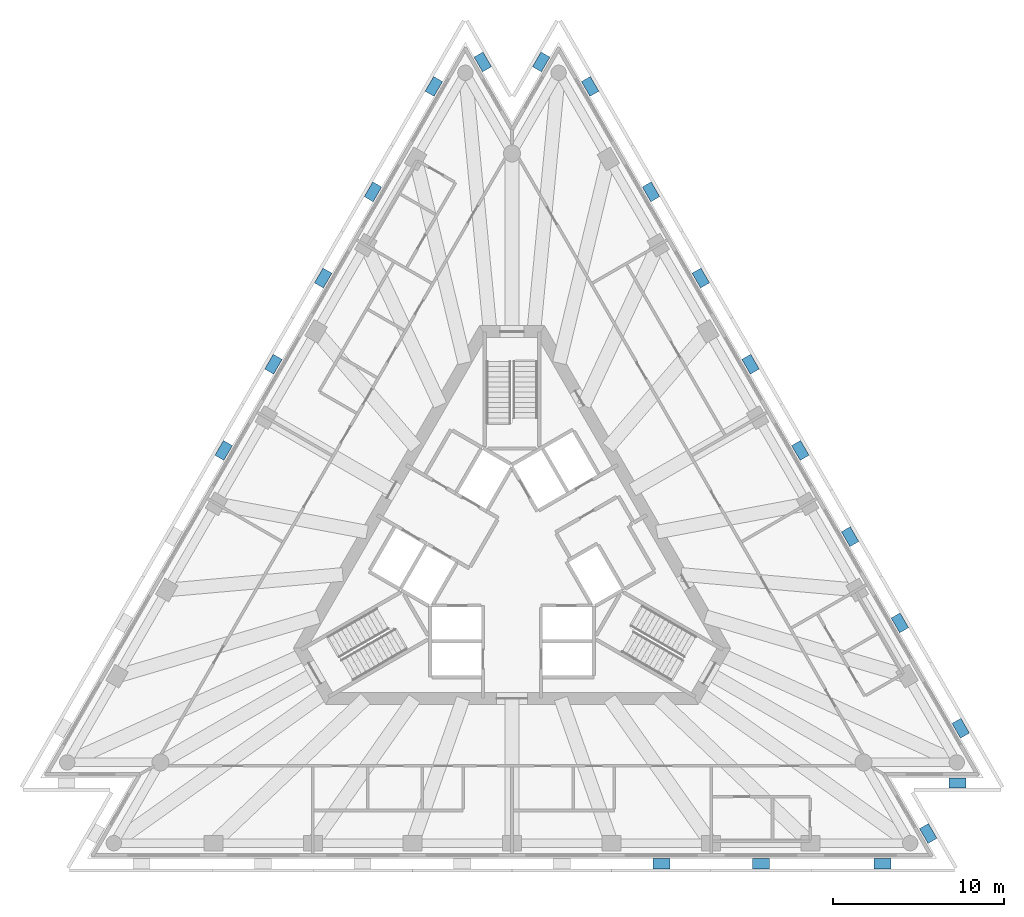
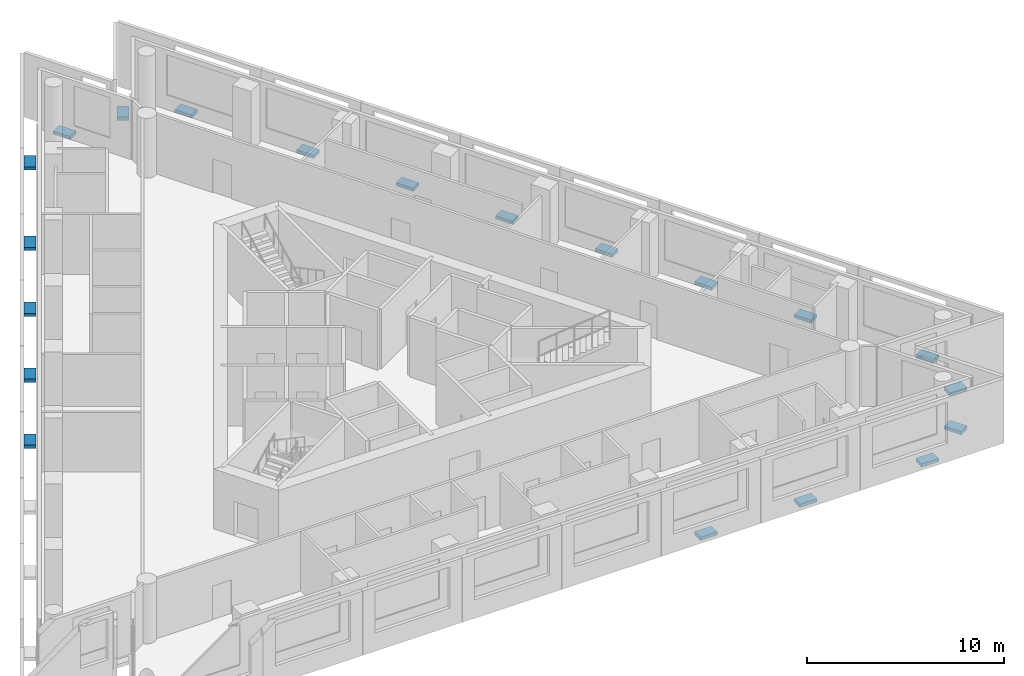
# One storey, part 8 of 10: 20 discrete accessories.
"""IFC4 building model written with IfcOpenShell, lengths in metres."""

from ifc_helpers import new_model, si_unit, direction, frame, origin, origin_2d, place, context, subcontext, project, spatial, rectangle, extrude, material, type_object, element, save


model = new_model("IFC4")

# Units and contexts
model_context = context("Model", 3, precision=1e-05, world=origin(), true_north=direction((0.0, 1.0)))
body_context = subcontext(model_context, "Body", "Model", "MODEL_VIEW")
ifc_project = project(units=[si_unit("LENGTHUNIT", "METRE"), si_unit("AREAUNIT", "SQUARE_METRE"), si_unit("VOLUMEUNIT", "CUBIC_METRE"), si_unit("PLANEANGLEUNIT", "RADIAN"), si_unit("MASSUNIT", "GRAM", prefix="KILO")], contexts=[model_context])

# Site, building, storey
site_placement = place(None, origin())
site = spatial("IfcSite", under=ifc_project, at=site_placement, CompositionType="ELEMENT")
building_placement = place(site_placement, origin())
building = spatial("IfcBuilding", under=site, at=building_placement, Name="Triada Interchange Tower", CompositionType="ELEMENT")
storey_placement = place(building_placement, frame((0.0, 0.0, 243.300048828125)))
storey = spatial("IfcBuildingStorey", under=building, at=storey_placement, Name="L57", CompositionType="ELEMENT", Elevation=243.300048828125)

# Discrete accessories
ifc_material = material(Name="Steel S355", Category="steel")
discrete_accessory_type = type_object("IfcDiscreteAccessoryType", Name="Steel bracket outer skin", PredefinedType="BRACKET", material=ifc_material)
for number, where, z_axis, x_axis, name in (
    (1, (-4.580078125, 27.716064453125, -0.27001953125), (0.0, 0.0, 1.0), (-0.866030360477, 0.499991414658, 0.0), "Bracket L57 01"),
    (2, (-8.14599609375, 21.5400390625, -0.27001953125), (0.0, 0.0, 1.0), (-0.866030360477, 0.499991414658, 0.0), "Bracket L57 02"),
    (3, (-11.06201171875, 16.489013671875, -0.27001953125), (0.0, 0.0, 1.0), (-0.866030360477, 0.499991414658, 0.0), "Bracket L57 03"),
    (4, (-13.97802734375, 11.43798828125, -0.27001953125), (0.0, 0.0, 1.0), (-0.866030360477, 0.499991414658, 0.0), "Bracket L57 04"),
    (5, (-16.89404296875, 6.385986328125, -0.27001953125), (0.0, 0.0, 1.0), (-0.866030360477, 0.499991414658, 0.0), "Bracket L57 05"),
    (6, (8.7490234375, -17.823974609375, -0.27001953125), (0.0, 0.0, 1.0), (0.0, -1.0, 0.0), "Bracket L57 16"),
    (7, (14.5810546875, -17.823974609375, -0.27001953125), (0.0, 0.0, 1.0), (0.0, -1.0, 0.0), "Bracket L57 17"),
    (8, (21.712890625, -17.823974609375, -0.27001953125), (0.0, 0.0, 1.0), (0.0, -1.0, 0.0), "Bracket L57 18"),
    (9, (24.388916015625, -16.05908203125, -0.27001953125), (0.0, 0.0, 1.0), (0.865981339585, 0.500076313667, 0.0), "Bracket L57 19"),
    (10, (26.10205078125, -13.093017578125, -0.27001953125), (0.0, 0.0, 1.0), (0.0, -1.0, 0.0), "Bracket L57 20"),
    (11, (26.29296875, -9.89208984375, -0.27001953125), (0.0, 0.0, 1.0), (0.866030360477, 0.499991414658, 0.0), "Bracket L57 21"),
    (12, (22.72705078125, -3.716064453125, -0.27001953125), (0.0, 0.0, 1.0), (0.866030360477, 0.499991414658, 0.0), "Bracket L57 22"),
    (13, (19.81103515625, 1.3349609375, -0.27001953125), (0.0, 0.0, 1.0), (0.866030360477, 0.499991414658, 0.0), "Bracket L57 23"),
    (14, (16.89404296875, 6.385986328125, -0.27001953125), (0.0, 0.0, 1.0), (0.866030360477, 0.499991414658, 0.0), "Bracket L57 24"),
    (15, (13.97802734375, 11.43798828125, -0.27001953125), (0.0, 0.0, 1.0), (0.866030360477, 0.499991414658, 0.0), "Bracket L57 25"),
    (16, (11.06201171875, 16.489013671875, -0.27001953125), (0.0, 0.0, 1.0), (0.866030360477, 0.499991414658, 0.0), "Bracket L57 26"),
    (17, (8.14599609375, 21.5400390625, -0.27001953125), (0.0, 0.0, 1.0), (0.866030360477, 0.499991414658, 0.0), "Bracket L57 27"),
    (18, (4.580078125, 27.716064453125, -0.27001953125), (0.0, 0.0, 1.0), (0.866030360477, 0.499991414658, 0.0), "Bracket L57 28"),
    (19, (1.7119140625, 29.15087890625, -0.27001953125), (0.0, 0.0, 1.0), (-0.866027105475, 0.499997052573, 0.0), "Bracket L57 29"),
    (20, (-1.7119140625, 29.15087890625, -0.27001953125), (0.0, 0.0, 1.0), (0.866027105475, 0.499997052573, 0.0), "Bracket L57 30"),
):
    element("IfcDiscreteAccessory", number, at=place(storey_placement, frame(where, z_axis=z_axis, x_axis=x_axis)), inside=storey, type_object=discrete_accessory_type, Name=name, PredefinedType="BRACKET", context=body_context, shape_type="SweptSolid", body=[
        extrude(rectangle(XDim=0.60009765625, YDim=1.0, at=origin_2d()), origin(), (0.0, 0.0, 1.0), 0.199951171875),
    ])

save(model, "model.ifc")
